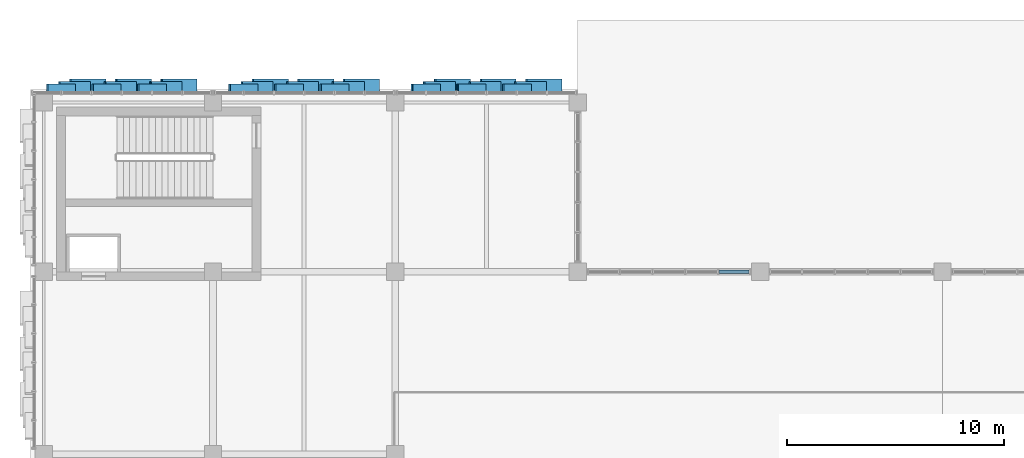
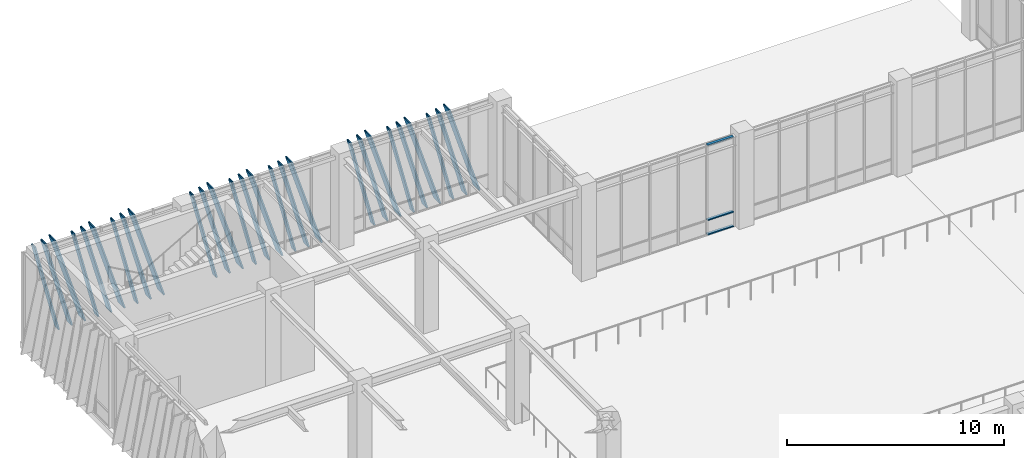
# One storey, part 50 of 139: 30 members, 4 elements without a shape of their own.
"""IFC4 building model written with IfcOpenShell, lengths in metres."""

from ifc_helpers import new_model, si_unit, direction, frame, origin, origin_2d, place, context, subcontext, project, spatial, hollow_rectangle, extrude, material, layer, layer_set, material_profile, profile_set, type_object, element, aggregate, save


model = new_model("IFC4")

# Units and contexts
model_context = context("Model", 3, precision=1e-05, world=origin(), true_north=direction((0.0, 1.0)))
body_context = subcontext(model_context, "Body", "Model", "MODEL_VIEW")
ifc_project = project(units=[si_unit("LENGTHUNIT", "METRE"), si_unit("AREAUNIT", "SQUARE_METRE"), si_unit("VOLUMEUNIT", "CUBIC_METRE"), si_unit("PLANEANGLEUNIT", "RADIAN"), si_unit("MASSUNIT", "GRAM", prefix="KILO")], contexts=[model_context])

# Site, building, storey
site_placement = place(None, origin())
site = spatial("IfcSite", under=ifc_project, at=site_placement, CompositionType="ELEMENT")
building_placement = place(site_placement, origin())
building = spatial("IfcBuilding", under=site, at=building_placement, Name="Zayran Congress Hotel", CompositionType="ELEMENT")
storey_placement = place(building_placement, frame((0.0, 0.0, 5.39990234375)))
storey = spatial("IfcBuildingStorey", under=building, at=storey_placement, Name="L01", CompositionType="ELEMENT", Elevation=5.39990234375)

# Curtain wall, members
ifc_material_1 = material(Name="Anodised aluminium and low-E insulated glass", Category="aluminium")
ifc_layer_1 = layer(ifc_material_1, 0.179931640625)
ifc_layer_set_1 = layer_set([ifc_layer_1], Name="Anodised aluminium and low-E insulated glass")
curtain_wall_type_1 = type_object("IfcCurtainWallType", Name="CW-V1NF-L01-CW-21-7560-5080", PredefinedType="USERDEFINED", material=ifc_layer_set_1)
curtain_wall_1_placement = place(storey_placement, origin())
curtain_wall_1 = element("IfcCurtainWall", 1, at=curtain_wall_1_placement, inside=storey, type_object=curtain_wall_type_1, Name="CW-V1NF-L01-3", ObjectType="CURTAIN WALL", PredefinedType="USERDEFINED")
ifc_material_2 = material(Name="Anodised aluminium framing", Category="aluminium")
ifc_material_profile_1 = material_profile(ifc_material_2, hollow_rectangle(XDim=0.06005859375, YDim=0.14990234375, WallThickness=0.00390625, at=origin_2d()), Name="RHS 150x60x4")
ifc_profile_set_1 = profile_set([ifc_material_profile_1], Name="Anodised aluminium framing")
member_type_1 = type_object("IfcMemberType", Name="TP-CWT-01", PredefinedType="USERDEFINED", material=ifc_profile_set_1)
member_1_placement = place(storey_placement, frame((41.5, 109.60009765625, 0.030029296875), z_axis=(-1.0, 0.0, 0.0), x_axis=(0.0, 0.0, 1.0)))
member_1 = element("IfcMember", 2, at=member_1_placement, type_object=member_type_1, Name="CW-V1NF-L01-3-T00-0", ObjectType="TRANSOM", PredefinedType="USERDEFINED", context=body_context, shape_type="SweptSolid", body=[
    extrude(hollow_rectangle(XDim=0.06005859375, YDim=0.14990234375, WallThickness=0.00390625, at=origin_2d()), origin(), (0.0, 0.0, 1.0), 1.39208984375),
])
member_2_placement = place(storey_placement, frame((41.5, 109.60009765625, 0.840087890625), z_axis=(-1.0, 0.0, 0.0), x_axis=(0.0, 0.0, 1.0)))
member_2 = element("IfcMember", 3, at=member_2_placement, type_object=member_type_1, Name="CW-V1NF-L01-3-T00-1", ObjectType="TRANSOM", PredefinedType="USERDEFINED", context=body_context, shape_type="SweptSolid", body=[
    extrude(hollow_rectangle(XDim=0.06005859375, YDim=0.14990234375, WallThickness=0.00390625, at=origin_2d()), origin(), (0.0, 0.0, 1.0), 1.39208984375),
])
member_3_placement = place(storey_placement, frame((41.5, 109.60009765625, 5.050048828125), z_axis=(-1.0, 0.0, 0.0), x_axis=(0.0, 0.0, 1.0)))
member_3 = element("IfcMember", 4, at=member_3_placement, type_object=member_type_1, Name="CW-V1NF-L01-3-T00-2", ObjectType="TRANSOM", PredefinedType="USERDEFINED", context=body_context, shape_type="SweptSolid", body=[
    extrude(hollow_rectangle(XDim=0.06005859375, YDim=0.14990234375, WallThickness=0.00390625, at=origin_2d()), origin(), (0.0, 0.0, 1.0), 1.39208984375),
])
aggregate(curtain_wall_1, [member_1, member_2, member_3])

ifc_layer_2 = layer(ifc_material_1, 0.179931640625)
ifc_layer_set_2 = layer_set([ifc_layer_2], Name="Anodised aluminium and low-E insulated glass")
curtain_wall_type_2 = type_object("IfcCurtainWallType", Name="CW-V1N-L01-CW-21-8360-5080", PredefinedType="USERDEFINED", material=ifc_layer_set_2)
curtain_wall_2_placement = place(storey_placement, origin())
curtain_wall_2 = element("IfcCurtainWall", 5, at=curtain_wall_2_placement, inside=storey, type_object=curtain_wall_type_2, Name="CW-V1N-L01-0", ObjectType="CURTAIN WALL", PredefinedType="USERDEFINED")
ifc_material_3 = material(Name="Warm bronze anodised aluminium", Category="aluminium")
ifc_material_profile_2 = material_profile(ifc_material_3, hollow_rectangle(XDim=0.080078125, YDim=0.580078125, WallThickness=0.006103515625, at=origin_2d()), Name="RHS 580x80x6")
ifc_profile_set_2 = profile_set([ifc_material_profile_2], Name="Warm bronze anodised aluminium")
member_type_2 = type_object("IfcMemberType", Name="TP-RFN-01", PredefinedType="MULLION", material=ifc_profile_set_2)
member_4_placement = place(storey_placement, frame((16.030029296875, 118.199951171875, 0.0), z_axis=(-0.300716755525, 0.0, 0.953713496259), x_axis=(0.953713496259, 0.0, 0.300716755525)))
member_4 = element("IfcMember", 6, at=member_4_placement, type_object=member_type_2, Name="Slanting Reed Mullion CW-21-01", PredefinedType="MULLION", context=body_context, shape_type="SweptSolid", body=[
    extrude(hollow_rectangle(XDim=0.080078125, YDim=0.580078125, WallThickness=0.006103515625, at=origin_2d()), origin(), (0.0, 0.0, 1.0), 5.32666015625),
])
member_5_placement = place(storey_placement, frame((13.929931640625, 118.199951171875, 0.0), z_axis=(-0.300675065474, 0.0, 0.953726640606), x_axis=(0.953726640606, 0.0, 0.300675065474)))
member_5 = element("IfcMember", 7, at=member_5_placement, type_object=member_type_2, Name="Slanting Reed Mullion CW-21-04", PredefinedType="MULLION", context=body_context, shape_type="SweptSolid", body=[
    extrude(hollow_rectangle(XDim=0.080078125, YDim=0.580078125, WallThickness=0.006103515625, at=origin_2d()), origin(), (0.0, 0.0, 1.0), 5.32666015625),
])
member_6_placement = place(storey_placement, frame((11.830078125, 118.199951171875, 0.0), z_axis=(-0.300716755525, 0.0, 0.953713496259), x_axis=(0.953713496259, 0.0, 0.300716755525)))
member_6 = element("IfcMember", 8, at=member_6_placement, type_object=member_type_2, Name="Slanting Reed Mullion CW-21-07", PredefinedType="MULLION", context=body_context, shape_type="SweptSolid", body=[
    extrude(hollow_rectangle(XDim=0.080078125, YDim=0.580078125, WallThickness=0.006103515625, at=origin_2d()), origin(), (0.0, 0.0, 1.0), 5.32666015625),
])

ifc_layer_3 = layer(ifc_material_1, 0.179931640625)
ifc_layer_set_3 = layer_set([ifc_layer_3], Name="Anodised aluminium and low-E insulated glass")
curtain_wall_type_3 = type_object("IfcCurtainWallType", Name="CW-V1N-L01-CW-22-8360-5080", PredefinedType="USERDEFINED", material=ifc_layer_set_3)
curtain_wall_3_placement = place(storey_placement, origin())
curtain_wall_3 = element("IfcCurtainWall", 9, at=curtain_wall_3_placement, inside=storey, type_object=curtain_wall_type_3, Name="CW-V1N-L01-1", ObjectType="CURTAIN WALL", PredefinedType="USERDEFINED")
member_7_placement = place(storey_placement, frame((24.429931640625, 118.199951171875, 0.0), z_axis=(-0.300675065474, 0.0, 0.953726640606), x_axis=(0.953726640606, 0.0, 0.300675065474)))
member_7 = element("IfcMember", 10, at=member_7_placement, type_object=member_type_2, Name="Slanting Reed Mullion CW-22-01", PredefinedType="MULLION", context=body_context, shape_type="SweptSolid", body=[
    extrude(hollow_rectangle(XDim=0.080078125, YDim=0.580078125, WallThickness=0.006103515625, at=origin_2d()), origin(), (0.0, 0.0, 1.0), 5.32666015625),
])
member_8_placement = place(storey_placement, frame((22.330078125, 118.199951171875, 0.0), z_axis=(-0.300716755525, 0.0, 0.953713496259), x_axis=(0.953713496259, 0.0, 0.300716755525)))
member_8 = element("IfcMember", 11, at=member_8_placement, type_object=member_type_2, Name="Slanting Reed Mullion CW-22-04", PredefinedType="MULLION", context=body_context, shape_type="SweptSolid", body=[
    extrude(hollow_rectangle(XDim=0.080078125, YDim=0.580078125, WallThickness=0.006103515625, at=origin_2d()), origin(), (0.0, 0.0, 1.0), 5.32666015625),
])
member_9_placement = place(storey_placement, frame((20.22998046875, 118.199951171875, 0.0), z_axis=(-0.300675065474, 0.0, 0.953726640606), x_axis=(0.953726640606, 0.0, 0.300675065474)))
member_9 = element("IfcMember", 12, at=member_9_placement, type_object=member_type_2, Name="Slanting Reed Mullion CW-22-07", PredefinedType="MULLION", context=body_context, shape_type="SweptSolid", body=[
    extrude(hollow_rectangle(XDim=0.080078125, YDim=0.580078125, WallThickness=0.006103515625, at=origin_2d()), origin(), (0.0, 0.0, 1.0), 5.32666015625),
])

ifc_layer_4 = layer(ifc_material_1, 0.179931640625)
ifc_layer_set_4 = layer_set([ifc_layer_4], Name="Anodised aluminium and low-E insulated glass")
curtain_wall_type_4 = type_object("IfcCurtainWallType", Name="CW-V1N-L01-CW-23-8360-5080", PredefinedType="USERDEFINED", material=ifc_layer_set_4)
curtain_wall_4_placement = place(storey_placement, origin())
curtain_wall_4 = element("IfcCurtainWall", 13, at=curtain_wall_4_placement, inside=storey, type_object=curtain_wall_type_4, Name="CW-V1N-L01-2", ObjectType="CURTAIN WALL", PredefinedType="USERDEFINED")
member_10_placement = place(storey_placement, frame((32.830078125, 118.199951171875, 0.0), z_axis=(-0.300716755525, 0.0, 0.953713496259), x_axis=(0.953713496259, 0.0, 0.300716755525)))
member_10 = element("IfcMember", 14, at=member_10_placement, type_object=member_type_2, Name="Slanting Reed Mullion CW-23-01", PredefinedType="MULLION", context=body_context, shape_type="SweptSolid", body=[
    extrude(hollow_rectangle(XDim=0.080078125, YDim=0.580078125, WallThickness=0.006103515625, at=origin_2d()), origin(), (0.0, 0.0, 1.0), 5.32666015625),
])
member_11_placement = place(storey_placement, frame((30.72998046875, 118.199951171875, 0.0), z_axis=(-0.300675065474, 0.0, 0.953726640606), x_axis=(0.953726640606, 0.0, 0.300675065474)))
member_11 = element("IfcMember", 15, at=member_11_placement, type_object=member_type_2, Name="Slanting Reed Mullion CW-23-04", PredefinedType="MULLION", context=body_context, shape_type="SweptSolid", body=[
    extrude(hollow_rectangle(XDim=0.080078125, YDim=0.580078125, WallThickness=0.006103515625, at=origin_2d()), origin(), (0.0, 0.0, 1.0), 5.32666015625),
])
member_12_placement = place(storey_placement, frame((28.6298828125, 118.199951171875, 0.0), z_axis=(-0.300675065474, 0.0, 0.953726640606), x_axis=(0.953726640606, 0.0, 0.300675065474)))
member_12 = element("IfcMember", 16, at=member_12_placement, type_object=member_type_2, Name="Slanting Reed Mullion CW-23-07", PredefinedType="MULLION", context=body_context, shape_type="SweptSolid", body=[
    extrude(hollow_rectangle(XDim=0.080078125, YDim=0.580078125, WallThickness=0.006103515625, at=origin_2d()), origin(), (0.0, 0.0, 1.0), 5.32666015625),
])

# Member
ifc_material_profile_3 = material_profile(ifc_material_3, hollow_rectangle(XDim=0.080078125, YDim=0.449951171875, WallThickness=0.006103515625, at=origin_2d()), Name="RHS 450x80x6")
ifc_profile_set_3 = profile_set([ifc_material_profile_3], Name="Warm bronze anodised aluminium")
member_type_3 = type_object("IfcMemberType", Name="TP-RFN-02", PredefinedType="MULLION", material=ifc_profile_set_3)
member_13_placement = place(storey_placement, frame((15.330078125, 118.135009765625, 0.0), z_axis=(-0.267256905477, 0.0, 0.96362531436), x_axis=(0.96362531436, 0.0, 0.267256905477)))
member_13 = element("IfcMember", 17, at=member_13_placement, type_object=member_type_3, Name="Slanting Reed Mullion CW-21-02", PredefinedType="MULLION", context=body_context, shape_type="SweptSolid", body=[
    extrude(hollow_rectangle(XDim=0.080078125, YDim=0.449951171875, WallThickness=0.006103515625, at=origin_2d()), origin(), (0.0, 0.0, 1.0), 5.271728515625),
])

member_14_placement = place(storey_placement, frame((13.22998046875, 118.135009765625, 0.0), z_axis=(-0.267213902124, 0.0, 0.963637240102), x_axis=(0.963637240102, 0.0, 0.267213902124)))
member_14 = element("IfcMember", 18, at=member_14_placement, type_object=member_type_3, Name="Slanting Reed Mullion CW-21-05", PredefinedType="MULLION", context=body_context, shape_type="SweptSolid", body=[
    extrude(hollow_rectangle(XDim=0.080078125, YDim=0.449951171875, WallThickness=0.006103515625, at=origin_2d()), origin(), (0.0, 0.0, 1.0), 5.271728515625),
])

member_15_placement = place(storey_placement, frame((11.1298828125, 118.135009765625, 0.0), z_axis=(-0.267213902124, 0.0, 0.963637240102), x_axis=(0.963637240102, 0.0, 0.267213902124)))
member_15 = element("IfcMember", 19, at=member_15_placement, type_object=member_type_3, Name="Slanting Reed Mullion CW-21-08", PredefinedType="MULLION", context=body_context, shape_type="SweptSolid", body=[
    extrude(hollow_rectangle(XDim=0.080078125, YDim=0.449951171875, WallThickness=0.006103515625, at=origin_2d()), origin(), (0.0, 0.0, 1.0), 5.271728515625),
])

member_16_placement = place(storey_placement, frame((23.72998046875, 118.135009765625, 0.0), z_axis=(-0.267213902124, 0.0, 0.963637240102), x_axis=(0.963637240102, 0.0, 0.267213902124)))
member_16 = element("IfcMember", 20, at=member_16_placement, type_object=member_type_3, Name="Slanting Reed Mullion CW-22-02", PredefinedType="MULLION", context=body_context, shape_type="SweptSolid", body=[
    extrude(hollow_rectangle(XDim=0.080078125, YDim=0.449951171875, WallThickness=0.006103515625, at=origin_2d()), origin(), (0.0, 0.0, 1.0), 5.271728515625),
])

member_17_placement = place(storey_placement, frame((21.6298828125, 118.135009765625, 0.0), z_axis=(-0.267213902124, 0.0, 0.963637240102), x_axis=(0.963637240102, 0.0, 0.267213902124)))
member_17 = element("IfcMember", 21, at=member_17_placement, type_object=member_type_3, Name="Slanting Reed Mullion CW-22-05", PredefinedType="MULLION", context=body_context, shape_type="SweptSolid", body=[
    extrude(hollow_rectangle(XDim=0.080078125, YDim=0.449951171875, WallThickness=0.006103515625, at=origin_2d()), origin(), (0.0, 0.0, 1.0), 5.271728515625),
])

member_18_placement = place(storey_placement, frame((19.530029296875, 118.135009765625, 0.0), z_axis=(-0.267256905477, 0.0, 0.96362531436), x_axis=(0.96362531436, 0.0, 0.267256905477)))
member_18 = element("IfcMember", 22, at=member_18_placement, type_object=member_type_3, Name="Slanting Reed Mullion CW-22-08", PredefinedType="MULLION", context=body_context, shape_type="SweptSolid", body=[
    extrude(hollow_rectangle(XDim=0.080078125, YDim=0.449951171875, WallThickness=0.006103515625, at=origin_2d()), origin(), (0.0, 0.0, 1.0), 5.271728515625),
])

member_19_placement = place(storey_placement, frame((32.1298828125, 118.135009765625, 0.0), z_axis=(-0.267213902124, 0.0, 0.963637240102), x_axis=(0.963637240102, 0.0, 0.267213902124)))
member_19 = element("IfcMember", 23, at=member_19_placement, type_object=member_type_3, Name="Slanting Reed Mullion CW-23-02", PredefinedType="MULLION", context=body_context, shape_type="SweptSolid", body=[
    extrude(hollow_rectangle(XDim=0.080078125, YDim=0.449951171875, WallThickness=0.006103515625, at=origin_2d()), origin(), (0.0, 0.0, 1.0), 5.271728515625),
])

member_20_placement = place(storey_placement, frame((30.030029296875, 118.135009765625, 0.0), z_axis=(-0.267256905477, 0.0, 0.96362531436), x_axis=(0.96362531436, 0.0, 0.267256905477)))
member_20 = element("IfcMember", 24, at=member_20_placement, type_object=member_type_3, Name="Slanting Reed Mullion CW-23-05", PredefinedType="MULLION", context=body_context, shape_type="SweptSolid", body=[
    extrude(hollow_rectangle(XDim=0.080078125, YDim=0.449951171875, WallThickness=0.006103515625, at=origin_2d()), origin(), (0.0, 0.0, 1.0), 5.271728515625),
])

member_21_placement = place(storey_placement, frame((27.929931640625, 118.135009765625, 0.0), z_axis=(-0.267213902124, 0.0, 0.963637240102), x_axis=(0.963637240102, 0.0, 0.267213902124)))
member_21 = element("IfcMember", 25, at=member_21_placement, type_object=member_type_3, Name="Slanting Reed Mullion CW-23-08", PredefinedType="MULLION", context=body_context, shape_type="SweptSolid", body=[
    extrude(hollow_rectangle(XDim=0.080078125, YDim=0.449951171875, WallThickness=0.006103515625, at=origin_2d()), origin(), (0.0, 0.0, 1.0), 5.271728515625),
])

ifc_material_profile_4 = material_profile(ifc_material_3, hollow_rectangle(XDim=0.080078125, YDim=0.340087890625, WallThickness=0.006103515625, at=origin_2d()), Name="RHS 340x80x6")
ifc_profile_set_4 = profile_set([ifc_material_profile_4], Name="Warm bronze anodised aluminium")
member_type_4 = type_object("IfcMemberType", Name="TP-RFN-03", PredefinedType="MULLION", material=ifc_profile_set_4)
member_22_placement = place(storey_placement, frame((14.6298828125, 118.080078125, 0.0), z_axis=(-0.241921145618, 0.0, 0.970295913267), x_axis=(0.970295913267, 0.0, 0.241921145618)))
member_22 = element("IfcMember", 26, at=member_22_placement, type_object=member_type_4, Name="Slanting Reed Mullion CW-21-03", PredefinedType="MULLION", context=body_context, shape_type="SweptSolid", body=[
    extrude(hollow_rectangle(XDim=0.080078125, YDim=0.340087890625, WallThickness=0.006103515625, at=origin_2d()), origin(), (0.0, 0.0, 1.0), 5.235595703125),
])

member_23_placement = place(storey_placement, frame((12.530029296875, 118.080078125, 0.0), z_axis=(-0.241921145618, 0.0, 0.970295913267), x_axis=(0.970295913267, 0.0, 0.241921145618)))
member_23 = element("IfcMember", 27, at=member_23_placement, type_object=member_type_4, Name="Slanting Reed Mullion CW-21-06", PredefinedType="MULLION", context=body_context, shape_type="SweptSolid", body=[
    extrude(hollow_rectangle(XDim=0.080078125, YDim=0.340087890625, WallThickness=0.006103515625, at=origin_2d()), origin(), (0.0, 0.0, 1.0), 5.235595703125),
])

member_24_placement = place(storey_placement, frame((10.429931640625, 118.080078125, 0.0), z_axis=(-0.241921145618, 0.0, 0.970295913267), x_axis=(0.970295913267, 0.0, 0.241921145618)))
member_24 = element("IfcMember", 28, at=member_24_placement, type_object=member_type_4, Name="Slanting Reed Mullion CW-21-09", PredefinedType="MULLION", context=body_context, shape_type="SweptSolid", body=[
    extrude(hollow_rectangle(XDim=0.080078125, YDim=0.340087890625, WallThickness=0.006103515625, at=origin_2d()), origin(), (0.0, 0.0, 1.0), 5.235595703125),
])

aggregate(curtain_wall_2, [member_4, member_13, member_22, member_5, member_14, member_23, member_6, member_15, member_24])

member_25_placement = place(storey_placement, frame((23.030029296875, 118.080078125, 0.0), z_axis=(-0.241921145618, 0.0, 0.970295913267), x_axis=(0.970295913267, 0.0, 0.241921145618)))
member_25 = element("IfcMember", 29, at=member_25_placement, type_object=member_type_4, Name="Slanting Reed Mullion CW-22-03", PredefinedType="MULLION", context=body_context, shape_type="SweptSolid", body=[
    extrude(hollow_rectangle(XDim=0.080078125, YDim=0.340087890625, WallThickness=0.006103515625, at=origin_2d()), origin(), (0.0, 0.0, 1.0), 5.235595703125),
])

member_26_placement = place(storey_placement, frame((20.929931640625, 118.080078125, 0.0), z_axis=(-0.241921145618, 0.0, 0.970295913267), x_axis=(0.970295913267, 0.0, 0.241921145618)))
member_26 = element("IfcMember", 30, at=member_26_placement, type_object=member_type_4, Name="Slanting Reed Mullion CW-22-06", PredefinedType="MULLION", context=body_context, shape_type="SweptSolid", body=[
    extrude(hollow_rectangle(XDim=0.080078125, YDim=0.340087890625, WallThickness=0.006103515625, at=origin_2d()), origin(), (0.0, 0.0, 1.0), 5.235595703125),
])

member_27_placement = place(storey_placement, frame((18.830078125, 118.080078125, 0.0), z_axis=(-0.241921145618, 0.0, 0.970295913267), x_axis=(0.970295913267, 0.0, 0.241921145618)))
member_27 = element("IfcMember", 31, at=member_27_placement, type_object=member_type_4, Name="Slanting Reed Mullion CW-22-09", PredefinedType="MULLION", context=body_context, shape_type="SweptSolid", body=[
    extrude(hollow_rectangle(XDim=0.080078125, YDim=0.340087890625, WallThickness=0.006103515625, at=origin_2d()), origin(), (0.0, 0.0, 1.0), 5.235595703125),
])

aggregate(curtain_wall_3, [member_7, member_16, member_25, member_8, member_17, member_26, member_9, member_18, member_27])

member_28_placement = place(storey_placement, frame((31.429931640625, 118.080078125, 0.0), z_axis=(-0.241921145618, 0.0, 0.970295913267), x_axis=(0.970295913267, 0.0, 0.241921145618)))
member_28 = element("IfcMember", 32, at=member_28_placement, type_object=member_type_4, Name="Slanting Reed Mullion CW-23-03", PredefinedType="MULLION", context=body_context, shape_type="SweptSolid", body=[
    extrude(hollow_rectangle(XDim=0.080078125, YDim=0.340087890625, WallThickness=0.006103515625, at=origin_2d()), origin(), (0.0, 0.0, 1.0), 5.235595703125),
])

member_29_placement = place(storey_placement, frame((29.330078125, 118.080078125, 0.0), z_axis=(-0.241921145618, 0.0, 0.970295913267), x_axis=(0.970295913267, 0.0, 0.241921145618)))
member_29 = element("IfcMember", 33, at=member_29_placement, type_object=member_type_4, Name="Slanting Reed Mullion CW-23-06", PredefinedType="MULLION", context=body_context, shape_type="SweptSolid", body=[
    extrude(hollow_rectangle(XDim=0.080078125, YDim=0.340087890625, WallThickness=0.006103515625, at=origin_2d()), origin(), (0.0, 0.0, 1.0), 5.235595703125),
])

member_30_placement = place(storey_placement, frame((27.22998046875, 118.080078125, 0.0), z_axis=(-0.241921145618, 0.0, 0.970295913267), x_axis=(0.970295913267, 0.0, 0.241921145618)))
member_30 = element("IfcMember", 34, at=member_30_placement, type_object=member_type_4, Name="Slanting Reed Mullion CW-23-09", PredefinedType="MULLION", context=body_context, shape_type="SweptSolid", body=[
    extrude(hollow_rectangle(XDim=0.080078125, YDim=0.340087890625, WallThickness=0.006103515625, at=origin_2d()), origin(), (0.0, 0.0, 1.0), 5.235595703125),
])

aggregate(curtain_wall_4, [member_10, member_19, member_28, member_11, member_20, member_29, member_12, member_21, member_30])

save(model, "model.ifc")
